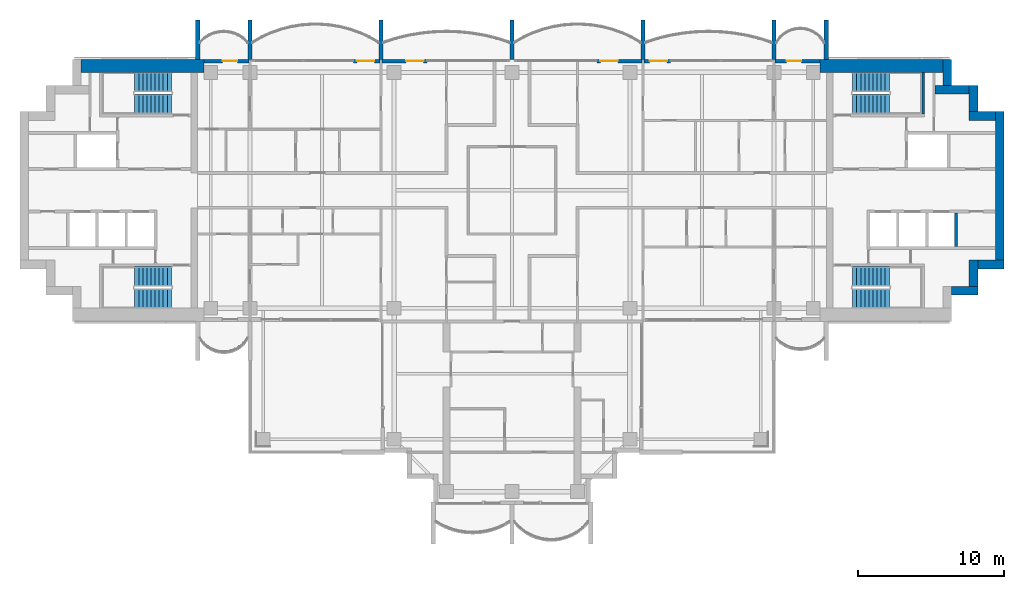
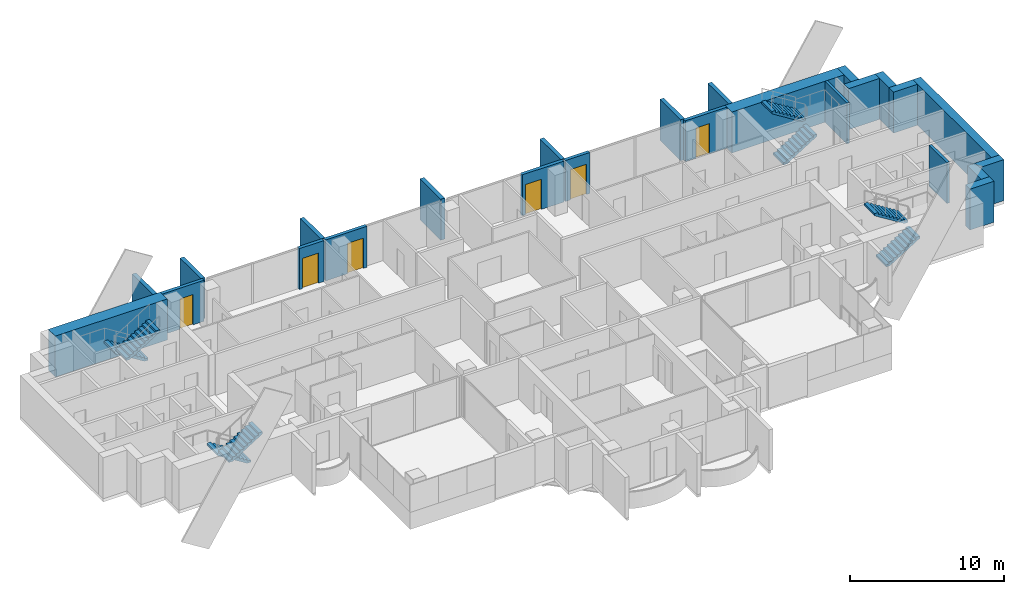
# One storey, part 13 of 17: 25 walls, 8 stair flights, 6 doors, 6 openings, 4 elements without a shape of their own.
"""IFC4 building model written with IfcOpenShell, lengths in metres."""

from ifc_helpers import new_model, si_unit, direction, frame, frame_2d, origin, place, context, subcontext, project, spatial, polyline, rectangle, outline, extrude, material, layer, layer_set, type_object, element, fill, aggregate, save


model = new_model("IFC4")

# Units and contexts
model_context = context("Model", 3, precision=1e-05, world=origin(), true_north=direction((0.0, 1.0)))
body_context = subcontext(model_context, "Body", "Model", "MODEL_VIEW")
ifc_project = project(units=[si_unit("LENGTHUNIT", "METRE"), si_unit("AREAUNIT", "SQUARE_METRE"), si_unit("VOLUMEUNIT", "CUBIC_METRE"), si_unit("PLANEANGLEUNIT", "RADIAN"), si_unit("MASSUNIT", "GRAM", prefix="KILO")], contexts=[model_context])

# Site, building, storey
site_placement = place(None, origin())
site = spatial("IfcSite", under=ifc_project, at=site_placement, CompositionType="ELEMENT")
building_placement = place(site_placement, origin())
building = spatial("IfcBuilding", under=site, at=building_placement, Name="Perihelion Cross Residences", CompositionType="ELEMENT")
storey_placement = place(building_placement, frame((0.0, 0.0, 198.10009765625)))
storey = spatial("IfcBuildingStorey", under=building, at=storey_placement, Name="L49", CompositionType="ELEMENT", Elevation=198.10009765625)

# Wall, opening, door
ifc_material_1 = material(Name="Concrete C30/37, bronze-clad", Category="concrete")
ifc_layer_1 = layer(ifc_material_1, 0.25)
ifc_layer_set_1 = layer_set([ifc_layer_1], Name="Bronze-clad pier wall 250")
wall_type_1 = type_object("IfcWallType", Name="Bronze-clad pier wall 250", PredefinedType="SOLIDWALL", material=ifc_layer_set_1)
wall_1_placement = place(storey_placement, frame((21.175048828125, 8.875, 0.0), z_axis=(0.0, 0.0, 1.0), x_axis=(-1.0, 0.0, 0.0)))
wall_1 = element("IfcWall", 1, at=wall_1_placement, inside=storey, type_object=wall_type_1, Name="Wall FW1 L49 east side north bay 1 pier", PredefinedType="SOLIDWALL", context=body_context, shape_type="SweptSolid", body=[
    extrude(rectangle(XDim=3.114990234375, YDim=0.25, at=frame_2d((1.5576171875, 0.0))), origin(), (0.0, 0.0, 1.0), 3.25),
])
opening_1_placement = place(wall_1_placement, frame((1.300048828125, 0.0, 0.0)))
opening_1 = element("IfcOpeningElement", 2, at=opening_1_placement, cuts=wall_1, Name="Opening L49.E01", PredefinedType="OPENING", context=body_context, shape_type="SweptSolid", body=[
    extrude(rectangle(XDim=1.0, YDim=2.39990234375, at=frame_2d((0.5, 1.199951171875))), frame((0.0, 0.135009765625, 0.0), z_axis=(0.0, -1.0, 0.0), x_axis=(1.0, 0.0, 0.0)), (0.0, 0.0, 1.0), 0.27001953125),
])
ifc_material_2 = material(Name="Bronze anodised aluminium, glazed", Category="aluminium")
door_type_1 = type_object("IfcDoorType", Name="Balcony door 1000 x 2400", OperationType="NOTDEFINED", PredefinedType="DOOR", material=ifc_material_2)
door_1_placement = place(opening_1_placement, origin())
door_1 = element("IfcDoor", 3, at=door_1_placement, inside=storey, type_object=door_type_1, Name="Door L49.E01 east side north bay 1", OperationType="SINGLE_SWING_LEFT", OverallHeight=2.39990234375, OverallWidth=1.0, PredefinedType="DOOR", context=body_context, shape_type="SweptSolid", body=[
    extrude(rectangle(XDim=1.0, YDim=2.39990234375, at=frame_2d((0.5, 1.199951171875))), frame((0.0, 0.02490234375, 0.0), z_axis=(0.0, -1.0, 0.0), x_axis=(1.0, 0.0, 0.0)), (0.0, 0.0, 1.0), 0.050048828125),
])
fill(opening_1, door_1)

wall_2_placement = place(storey_placement, frame((10.89990234375, 8.875, 0.0), z_axis=(0.0, 0.0, 1.0), x_axis=(-1.0, 0.0, 0.0)))
wall_2 = element("IfcWall", 4, at=wall_2_placement, inside=storey, type_object=wall_type_1, Name="Wall FW1 L49 east side north bay 2 pier", PredefinedType="SOLIDWALL", context=body_context, shape_type="SweptSolid", body=[
    extrude(rectangle(XDim=1.83984375, YDim=0.25, at=frame_2d((0.919921875, 0.0))), origin(), (0.0, 0.0, 1.0), 3.25),
])
opening_2_placement = place(wall_2_placement, frame((0.25, 0.0, 0.0)))
opening_2 = element("IfcOpeningElement", 5, at=opening_2_placement, cuts=wall_2, Name="Opening L49.E02", PredefinedType="OPENING", context=body_context, shape_type="SweptSolid", body=[
    extrude(rectangle(XDim=1.199951171875, YDim=2.39990234375, at=frame_2d((0.60009765625, 1.199951171875))), frame((0.0, 0.135009765625, 0.0), z_axis=(0.0, -1.0, 0.0), x_axis=(1.0, 0.0, 0.0)), (0.0, 0.0, 1.0), 0.27001953125),
])
ifc_material_3 = material(Name="Bronze anodised aluminium, glazed", Category="aluminium")
door_type_2 = type_object("IfcDoorType", Name="Balcony door 1200 x 2400", OperationType="NOTDEFINED", PredefinedType="DOOR", material=ifc_material_3)
door_2_placement = place(opening_2_placement, origin())
door_2 = element("IfcDoor", 6, at=door_2_placement, inside=storey, type_object=door_type_2, Name="Door L49.E02 east side north bay 2", OperationType="SINGLE_SWING_RIGHT", OverallHeight=2.39990234375, OverallWidth=1.199951171875, PredefinedType="DOOR", context=body_context, shape_type="SweptSolid", body=[
    extrude(rectangle(XDim=1.199951171875, YDim=2.39990234375, at=frame_2d((0.60009765625, 1.199951171875))), frame((0.0, 0.02490234375, 0.0), z_axis=(0.0, -1.0, 0.0), x_axis=(1.0, 0.0, 0.0)), (0.0, 0.0, 1.0), 0.050048828125),
])
fill(opening_2, door_2)

wall_3_placement = place(storey_placement, frame((8.93994140625, 8.875, 0.0), z_axis=(0.0, 0.0, 1.0), x_axis=(-1.0, 0.0, 0.0)))
wall_3 = element("IfcWall", 7, at=wall_3_placement, inside=storey, type_object=wall_type_1, Name="Wall FW1 L49 north side east bay 1 pier", PredefinedType="SOLIDWALL", context=body_context, shape_type="SweptSolid", body=[
    extrude(rectangle(XDim=3.114990234375, YDim=0.25, at=frame_2d((1.5576171875, 0.0))), origin(), (0.0, 0.0, 1.0), 3.25),
])
opening_3_placement = place(wall_3_placement, frame((1.6650390625, 0.0, 0.0)))
opening_3 = element("IfcOpeningElement", 8, at=opening_3_placement, cuts=wall_3, Name="Opening L49.E03", PredefinedType="OPENING", context=body_context, shape_type="SweptSolid", body=[
    extrude(rectangle(XDim=1.199951171875, YDim=2.39990234375, at=frame_2d((0.60009765625, 1.199951171875))), frame((0.0, 0.135009765625, 0.0), z_axis=(0.0, -1.0, 0.0), x_axis=(1.0, 0.0, 0.0)), (0.0, 0.0, 1.0), 0.27001953125),
])
door_3_placement = place(opening_3_placement, origin())
door_3 = element("IfcDoor", 9, at=door_3_placement, inside=storey, type_object=door_type_2, Name="Door L49.E03 north side east bay 1", OperationType="SINGLE_SWING_LEFT", OverallHeight=2.39990234375, OverallWidth=1.199951171875, PredefinedType="DOOR", context=body_context, shape_type="SweptSolid", body=[
    extrude(rectangle(XDim=1.199951171875, YDim=2.39990234375, at=frame_2d((0.60009765625, 1.199951171875))), frame((0.0, 0.02490234375, 0.0), z_axis=(0.0, -1.0, 0.0), x_axis=(1.0, 0.0, 0.0)), (0.0, 0.0, 1.0), 0.050048828125),
])
fill(opening_3, door_3)

wall_4_placement = place(storey_placement, frame((-5.824951171875, 8.875, 0.0), z_axis=(0.0, 0.0, 1.0), x_axis=(-1.0, 0.0, 0.0)))
wall_4 = element("IfcWall", 10, at=wall_4_placement, inside=storey, type_object=wall_type_1, Name="Wall FW1 L49 north side east bay 2 pier", PredefinedType="SOLIDWALL", context=body_context, shape_type="SweptSolid", body=[
    extrude(rectangle(XDim=3.114990234375, YDim=0.25, at=frame_2d((1.5576171875, 0.0))), origin(), (0.0, 0.0, 1.0), 3.25),
])
opening_4_placement = place(wall_4_placement, frame((0.25, 0.0, 0.0)))
opening_4 = element("IfcOpeningElement", 11, at=opening_4_placement, cuts=wall_4, Name="Opening L49.E04", PredefinedType="OPENING", context=body_context, shape_type="SweptSolid", body=[
    extrude(rectangle(XDim=1.199951171875, YDim=2.39990234375, at=frame_2d((0.60009765625, 1.199951171875))), frame((0.0, 0.135009765625, 0.0), z_axis=(0.0, -1.0, 0.0), x_axis=(1.0, 0.0, 0.0)), (0.0, 0.0, 1.0), 0.27001953125),
])
door_4_placement = place(opening_4_placement, origin())
door_4 = element("IfcDoor", 12, at=door_4_placement, inside=storey, type_object=door_type_2, Name="Door L49.E04 north side east bay 2", OperationType="SINGLE_SWING_RIGHT", OverallHeight=2.39990234375, OverallWidth=1.199951171875, PredefinedType="DOOR", context=body_context, shape_type="SweptSolid", body=[
    extrude(rectangle(XDim=1.199951171875, YDim=2.39990234375, at=frame_2d((0.60009765625, 1.199951171875))), frame((0.0, 0.02490234375, 0.0), z_axis=(0.0, -1.0, 0.0), x_axis=(1.0, 0.0, 0.0)), (0.0, 0.0, 1.0), 0.050048828125),
])
fill(opening_4, door_4)

wall_5_placement = place(storey_placement, frame((-9.06005859375, 8.875, 0.0), z_axis=(0.0, 0.0, 1.0), x_axis=(-1.0, 0.0, 0.0)))
wall_5 = element("IfcWall", 13, at=wall_5_placement, inside=storey, type_object=wall_type_1, Name="Wall FW1 L49 west side north bay 1 pier", PredefinedType="SOLIDWALL", context=body_context, shape_type="SweptSolid", body=[
    extrude(rectangle(XDim=1.83984375, YDim=0.25, at=frame_2d((0.919921875, 0.0))), origin(), (0.0, 0.0, 1.0), 3.25),
])
opening_5_placement = place(wall_5_placement, frame((0.389892578125, 0.0, 0.0)))
opening_5 = element("IfcOpeningElement", 14, at=opening_5_placement, cuts=wall_5, Name="Opening L49.E05", PredefinedType="OPENING", context=body_context, shape_type="SweptSolid", body=[
    extrude(rectangle(XDim=1.199951171875, YDim=2.39990234375, at=frame_2d((0.60009765625, 1.199951171875))), frame((0.0, 0.135009765625, 0.0), z_axis=(0.0, -1.0, 0.0), x_axis=(1.0, 0.0, 0.0)), (0.0, 0.0, 1.0), 0.27001953125),
])
door_5_placement = place(opening_5_placement, origin())
door_5 = element("IfcDoor", 15, at=door_5_placement, inside=storey, type_object=door_type_2, Name="Door L49.E05 west side north bay 1", OperationType="SINGLE_SWING_LEFT", OverallHeight=2.39990234375, OverallWidth=1.199951171875, PredefinedType="DOOR", context=body_context, shape_type="SweptSolid", body=[
    extrude(rectangle(XDim=1.199951171875, YDim=2.39990234375, at=frame_2d((0.60009765625, 1.199951171875))), frame((0.0, 0.02490234375, 0.0), z_axis=(0.0, -1.0, 0.0), x_axis=(1.0, 0.0, 0.0)), (0.0, 0.0, 1.0), 0.050048828125),
])
fill(opening_5, door_5)

wall_6_placement = place(storey_placement, frame((-18.06005859375, 8.875, 0.0), z_axis=(0.0, 0.0, 1.0), x_axis=(-1.0, 0.0, 0.0)))
wall_6 = element("IfcWall", 16, at=wall_6_placement, inside=storey, type_object=wall_type_1, Name="Wall FW1 L49 west side north bay 2 pier", PredefinedType="SOLIDWALL", context=body_context, shape_type="SweptSolid", body=[
    extrude(rectangle(XDim=3.114990234375, YDim=0.25, at=frame_2d((1.5576171875, 0.0))), origin(), (0.0, 0.0, 1.0), 3.25),
])
opening_6_placement = place(wall_6_placement, frame((0.81494140625, 0.0, 0.0)))
opening_6 = element("IfcOpeningElement", 17, at=opening_6_placement, cuts=wall_6, Name="Opening L49.E06", PredefinedType="OPENING", context=body_context, shape_type="SweptSolid", body=[
    extrude(rectangle(XDim=1.0, YDim=2.39990234375, at=frame_2d((0.5, 1.199951171875))), frame((0.0, 0.135009765625, 0.0), z_axis=(0.0, -1.0, 0.0), x_axis=(1.0, 0.0, 0.0)), (0.0, 0.0, 1.0), 0.27001953125),
])
door_6_placement = place(opening_6_placement, origin())
door_6 = element("IfcDoor", 18, at=door_6_placement, inside=storey, type_object=door_type_1, Name="Door L49.E06 west side north bay 2", OperationType="SINGLE_SWING_RIGHT", OverallHeight=2.39990234375, OverallWidth=1.0, PredefinedType="DOOR", context=body_context, shape_type="SweptSolid", body=[
    extrude(rectangle(XDim=1.0, YDim=2.39990234375, at=frame_2d((0.5, 1.199951171875))), frame((0.0, 0.02490234375, 0.0), z_axis=(0.0, -1.0, 0.0), x_axis=(1.0, 0.0, 0.0)), (0.0, 0.0, 1.0), 0.050048828125),
])
fill(opening_6, door_6)

# Walls
ifc_material_4 = material(Name="Concrete C60/75", Category="concrete")
ifc_layer_2 = layer(ifc_material_4, 0.60009765625)
ifc_layer_set_2 = layer_set([ifc_layer_2], Name="Core wall, outer 600")
wall_type_2 = type_object("IfcWallType", Name="Core wall, outer 600", PredefinedType="SHEAR", material=ifc_layer_set_2)
for number, where, z_axis, x_axis, name in (
    (19, (30.199951171875, -6.89990234375, 0.0), (0.0, 0.0, 1.0), (1.0, 0.0, 0.0), "East core core wall, outer"),
    (20, (31.699951171875, -6.60009765625, 0.0), (0.0, 0.0, 1.0), (0.0, 1.0, 0.0), "East core core wall, outer"),
    (21, (32.0, -5.10009765625, 0.0), (0.0, 0.0, 1.0), (1.0, 0.0, 0.0), "East core core wall, outer"),
):
    element("IfcWall", number, at=place(storey_placement, frame(where, z_axis=z_axis, x_axis=x_axis)), inside=storey, type_object=wall_type_2, Name=name, PredefinedType="SHEAR", context=body_context, shape_type="SweptSolid", body=[
        extrude(rectangle(XDim=1.800048828125, YDim=0.60009765625, at=frame_2d((0.89990234375, 0.0))), origin(), (0.0, 0.0, 1.0), 3.25),
    ])
wall_7_placement = place(storey_placement, frame((33.5, -4.800048828125, 0.0), z_axis=(0.0, 0.0, 1.0), x_axis=(0.0, 1.0, 0.0)))
element("IfcWall", 22, at=wall_7_placement, inside=storey, type_object=wall_type_2, Name="East core core wall, outer", PredefinedType="SHEAR", context=body_context, shape_type="SweptSolid", body=[
    extrude(rectangle(XDim=10.199951171875, YDim=0.60009765625, at=frame_2d((5.10009765625, 0.0))), origin(), (0.0, 0.0, 1.0), 3.25),
])
for number, where, z_axis, x_axis, name in (
    (23, (31.39990234375, 5.10009765625, 0.0), (0.0, 0.0, 1.0), (1.0, 0.0, 0.0), "East core core wall, outer"),
    (24, (31.699951171875, 5.39990234375, 0.0), (0.0, 0.0, 1.0), (0.0, 1.0, 0.0), "East core core wall, outer"),
):
    element("IfcWall", number, at=place(storey_placement, frame(where, z_axis=z_axis, x_axis=x_axis)), inside=storey, type_object=wall_type_2, Name=name, PredefinedType="SHEAR", context=body_context, shape_type="SweptSolid", body=[
        extrude(rectangle(XDim=1.800048828125, YDim=0.60009765625, at=frame_2d((0.89990234375, 0.0))), origin(), (0.0, 0.0, 1.0), 3.25),
    ])
wall_8_placement = place(storey_placement, frame((29.074951171875, 6.89990234375, 0.0), z_axis=(0.0, 0.0, 1.0), x_axis=(1.0, 0.0, 0.0)))
element("IfcWall", 25, at=wall_8_placement, inside=storey, type_object=wall_type_2, Name="East core core wall, outer", PredefinedType="SHEAR", context=body_context, shape_type="SweptSolid", body=[
    extrude(rectangle(XDim=2.324951171875, YDim=0.60009765625, at=frame_2d((1.16259765625, 0.0))), origin(), (0.0, 0.0, 1.0), 3.25),
])
wall_9_placement = place(storey_placement, frame((29.89990234375, 7.199951171875, 0.0), z_axis=(0.0, 0.0, 1.0), x_axis=(0.0, 1.0, 0.0)))
element("IfcWall", 26, at=wall_9_placement, inside=storey, type_object=wall_type_2, Name="East core core wall, outer", PredefinedType="SHEAR", context=body_context, shape_type="SweptSolid", body=[
    extrude(rectangle(XDim=1.800048828125, YDim=0.60009765625, at=frame_2d((0.89990234375, 0.0))), origin(), (0.0, 0.0, 1.0), 3.25),
])
ifc_material_5 = material(Name="Concrete C60/75", Category="concrete")
ifc_layer_3 = layer(ifc_material_5, 0.89990234375)
ifc_layer_set_3 = layer_set([ifc_layer_3], Name="Core wall, outer 900")
wall_type_3 = type_object("IfcWallType", Name="Core wall, outer 900", PredefinedType="SHEAR", material=ifc_layer_set_3)
for number, where, z_axis, x_axis, name in (
    (27, (21.175048828125, 8.550048828125, 0.0), (0.0, 0.0, 1.0), (1.0, 0.0, 0.0), "East core core wall, outer"),
    (28, (-29.60009765625, 8.550048828125, 0.0), (0.0, 0.0, 1.0), (1.0, 0.0, 0.0), "West core core wall, outer"),
):
    element("IfcWall", number, at=place(storey_placement, frame(where, z_axis=z_axis, x_axis=x_axis)), inside=storey, type_object=wall_type_3, Name=name, PredefinedType="SHEAR", context=body_context, shape_type="SweptSolid", body=[
        extrude(rectangle(XDim=8.425048828125, YDim=0.89990234375, at=frame_2d((4.21240234375, 0.0))), origin(), (0.0, 0.0, 1.0), 3.25),
    ])
ifc_material_6 = material(Name="Precast concrete C50/60", Category="concrete")
ifc_layer_4 = layer(ifc_material_6, 0.300048828125)
ifc_layer_set_4 = layer_set([ifc_layer_4], Name="Precast concrete C50/60 blade wall 300")
wall_type_4 = type_object("IfcWallType", Name="Precast concrete C50/60 blade wall 300", PredefinedType="SOLIDWALL", material=ifc_layer_set_4)
for number, where, z_axis, x_axis, name in (
    (29, (-21.60009765625, 9.0, 0.0), (0.0, 0.0, 1.0), (0.0, 1.0, 0.0), "Wall BL1 L49 no. 4"),
    (30, (-18.0, 9.0, 0.0), (0.0, 0.0, 1.0), (0.0, 1.0, 0.0), "Wall BL1 L49 no. 2"),
    (31, (-9.0, 9.0, 0.0), (0.0, 0.0, 1.0), (0.0, 1.0, 0.0), "Wall BL1 L49 no. 7"),
    (32, (0.0, 9.0, 0.0), (0.0, 0.0, 1.0), (0.0, 1.0, 0.0), "Wall BL1 L49 no. 9"),
    (33, (9.0, 9.0, 0.0), (0.0, 0.0, 1.0), (0.0, 1.0, 0.0), "Wall BL1 L49 no. 16"),
    (34, (18.0, 9.0, 0.0), (0.0, 0.0, 1.0), (0.0, 1.0, 0.0), "Wall BL1 L49 no. 11"),
    (35, (21.60009765625, 9.0, 0.0), (0.0, 0.0, 1.0), (0.0, 1.0, 0.0), "Wall BL1 L49 no. 13"),
):
    element("IfcWall", number, at=place(storey_placement, frame(where, z_axis=z_axis, x_axis=x_axis)), inside=storey, type_object=wall_type_4, Name=name, PredefinedType="SOLIDWALL", context=body_context, shape_type="SweptSolid", body=[
        extrude(rectangle(XDim=2.699951171875, YDim=0.300048828125, at=frame_2d((1.35009765625, 0.0))), origin(), (0.0, 0.0, 1.0), 3.25),
    ])
ifc_material_7 = material(Name="Concrete C50/60", Category="concrete")
ifc_layer_5 = layer(ifc_material_7, 0.199951171875)
ifc_layer_set_5 = layer_set([ifc_layer_5], Name="Shaft wall 200")
wall_type_5 = type_object("IfcWallType", Name="Shaft wall 200", PredefinedType="SOLIDWALL", material=ifc_layer_set_5)
wall_10_placement = place(storey_placement, frame((30.5, -3.85009765625, 0.0), z_axis=(0.0, 0.0, 1.0), x_axis=(0.0, 1.0, 0.0)))
element("IfcWall", 36, at=wall_10_placement, inside=storey, type_object=wall_type_5, Name="East core shaft wall", PredefinedType="SOLIDWALL", context=body_context, shape_type="SweptSolid", body=[
    extrude(rectangle(XDim=2.300048828125, YDim=0.199951171875, at=frame_2d((1.14990234375, 0.0))), origin(), (0.0, 0.0, 1.0), 3.25),
])
ifc_material_8 = material(Name="Concrete C50/60", Category="concrete")
ifc_layer_6 = layer(ifc_material_8, 0.199951171875)
ifc_layer_set_6 = layer_set([ifc_layer_6], Name="Stair wall 200")
wall_type_6 = type_object("IfcWallType", Name="Stair wall 200", PredefinedType="SOLIDWALL", material=ifc_layer_set_6)
wall_11_placement = place(storey_placement, frame((28.25, 5.25, 0.0), z_axis=(0.0, 0.0, 1.0), x_axis=(0.0, 1.0, 0.0)))
element("IfcWall", 37, at=wall_11_placement, inside=storey, type_object=wall_type_6, Name="East core stair wall", PredefinedType="SOLIDWALL", context=body_context, shape_type="SweptSolid", body=[
    extrude(rectangle(XDim=2.85009765625, YDim=0.199951171875, at=frame_2d((1.425048828125, 0.0))), origin(), (0.0, 0.0, 1.0), 3.25),
])

# Stair, stair flights
ifc_material_9 = material(Name="Concrete C40/50", Category="concrete")
stair_type = type_object("IfcStairType", Name="Exit stair, half-turn", PredefinedType="HALF_TURN_STAIR", material=ifc_material_9)
stair_1_placement = place(storey_placement, origin())
stair_1 = element("IfcStair", 38, at=stair_1_placement, inside=storey, type_object=stair_type, Name="L49 East core exit stair 1", PredefinedType="HALF_TURN_STAIR")
ifc_material_10 = material(Name="Concrete C40/50", Category="concrete")
stair_flight_type = type_object("IfcStairFlightType", Name="Exit stair flight", PredefinedType="STRAIGHT", material=ifc_material_10)
stair_flight_1_placement = place(storey_placement, frame((23.39990234375, 5.925048828125, 0.0), z_axis=(0.0, 0.0, 1.0), x_axis=(1.0, 0.0, 0.0)))
stair_flight_1 = element("IfcStairFlight", 39, at=stair_flight_1_placement, type_object=stair_flight_type, Name="ST-E1 flight 1", NumberOfRisers=10, NumberOfTreads=9, PredefinedType="STRAIGHT", RiserHeight=0.175, TreadLength=0.28, context=body_context, shape_type="SweptSolid", body=[
    extrude(outline(polyline([(0.0, 0.0), (0.0, 0.175048828125), (0.280029296875, 0.175048828125), (0.280029296875, 0.35009765625), (0.56005859375, 0.35009765625), (0.56005859375, 0.52490234375), (0.840087890625, 0.52490234375), (0.840087890625, 0.699951171875), (1.1201171875, 0.699951171875), (1.1201171875, 0.875), (1.39990234375, 0.875), (1.39990234375, 1.050048828125), (1.679931640625, 1.050048828125), (1.679931640625, 1.22509765625), (1.9599609375, 1.22509765625), (1.9599609375, 1.39990234375), (2.239990234375, 1.39990234375), (2.239990234375, 1.574951171875), (2.52001953125, 1.574951171875), (2.52001953125, 1.75), (2.52001953125, 1.398193359375), (0.28271484375, 0.0), (0.0, 0.0)])), frame((0.0, 0.675048828125, 0.0), z_axis=(0.0, -1.0, 0.0), x_axis=(1.0, 0.0, 0.0)), (0.0, 0.0, 1.0), 1.35009765625),
])
stair_flight_2_placement = place(storey_placement, frame((25.919921875, 7.425048828125, 1.75), z_axis=(0.0, 0.0, 1.0), x_axis=(-1.0, 0.0, 0.0)))
stair_flight_2 = element("IfcStairFlight", 40, at=stair_flight_2_placement, type_object=stair_flight_type, Name="ST-E1 flight 2", NumberOfRisers=10, NumberOfTreads=9, PredefinedType="STRAIGHT", RiserHeight=0.175, TreadLength=0.28, context=body_context, shape_type="SweptSolid", body=[
    extrude(outline(polyline([(0.0, 0.0), (0.0, 0.175048828125), (0.280029296875, 0.175048828125), (0.280029296875, 0.35009765625), (0.56005859375, 0.35009765625), (0.56005859375, 0.52490234375), (0.840087890625, 0.52490234375), (0.840087890625, 0.699951171875), (1.1201171875, 0.699951171875), (1.1201171875, 0.875), (1.39990234375, 0.875), (1.39990234375, 1.050048828125), (1.679931640625, 1.050048828125), (1.679931640625, 1.22509765625), (1.9599609375, 1.22509765625), (1.9599609375, 1.39990234375), (2.239990234375, 1.39990234375), (2.239990234375, 1.574951171875), (2.52001953125, 1.574951171875), (2.52001953125, 1.75), (2.52001953125, 1.398193359375), (0.28271484375, 0.0), (0.0, 0.0)])), frame((0.0, 0.675048828125, 0.0), z_axis=(0.0, -1.0, 0.0), x_axis=(1.0, 0.0, 0.0)), (0.0, 0.0, 1.0), 1.35009765625),
])
aggregate(stair_1, [stair_flight_1, stair_flight_2])

stair_2_placement = place(storey_placement, origin())
stair_2 = element("IfcStair", 41, at=stair_2_placement, inside=storey, type_object=stair_type, Name="L49 East core exit stair 2", PredefinedType="HALF_TURN_STAIR")
stair_flight_3_placement = place(storey_placement, frame((23.39990234375, -7.425048828125, 0.0), z_axis=(0.0, 0.0, 1.0), x_axis=(1.0, 0.0, 0.0)))
stair_flight_3 = element("IfcStairFlight", 42, at=stair_flight_3_placement, type_object=stair_flight_type, Name="ST-E2 flight 1", NumberOfRisers=10, NumberOfTreads=9, PredefinedType="STRAIGHT", RiserHeight=0.175, TreadLength=0.28, context=body_context, shape_type="SweptSolid", body=[
    extrude(outline(polyline([(0.0, 0.0), (0.0, 0.175048828125), (0.280029296875, 0.175048828125), (0.280029296875, 0.35009765625), (0.56005859375, 0.35009765625), (0.56005859375, 0.52490234375), (0.840087890625, 0.52490234375), (0.840087890625, 0.699951171875), (1.1201171875, 0.699951171875), (1.1201171875, 0.875), (1.39990234375, 0.875), (1.39990234375, 1.050048828125), (1.679931640625, 1.050048828125), (1.679931640625, 1.22509765625), (1.9599609375, 1.22509765625), (1.9599609375, 1.39990234375), (2.239990234375, 1.39990234375), (2.239990234375, 1.574951171875), (2.52001953125, 1.574951171875), (2.52001953125, 1.75), (2.52001953125, 1.398193359375), (0.28271484375, 0.0), (0.0, 0.0)])), frame((0.0, 0.675048828125, 0.0), z_axis=(0.0, -1.0, 0.0), x_axis=(1.0, 0.0, 0.0)), (0.0, 0.0, 1.0), 1.35009765625),
])
stair_flight_4_placement = place(storey_placement, frame((25.919921875, -5.925048828125, 1.75), z_axis=(0.0, 0.0, 1.0), x_axis=(-1.0, 0.0, 0.0)))
stair_flight_4 = element("IfcStairFlight", 43, at=stair_flight_4_placement, type_object=stair_flight_type, Name="ST-E2 flight 2", NumberOfRisers=10, NumberOfTreads=9, PredefinedType="STRAIGHT", RiserHeight=0.175, TreadLength=0.28, context=body_context, shape_type="SweptSolid", body=[
    extrude(outline(polyline([(0.0, 0.0), (0.0, 0.175048828125), (0.280029296875, 0.175048828125), (0.280029296875, 0.35009765625), (0.56005859375, 0.35009765625), (0.56005859375, 0.52490234375), (0.840087890625, 0.52490234375), (0.840087890625, 0.699951171875), (1.1201171875, 0.699951171875), (1.1201171875, 0.875), (1.39990234375, 0.875), (1.39990234375, 1.050048828125), (1.679931640625, 1.050048828125), (1.679931640625, 1.22509765625), (1.9599609375, 1.22509765625), (1.9599609375, 1.39990234375), (2.239990234375, 1.39990234375), (2.239990234375, 1.574951171875), (2.52001953125, 1.574951171875), (2.52001953125, 1.75), (2.52001953125, 1.398193359375), (0.28271484375, 0.0), (0.0, 0.0)])), frame((0.0, 0.675048828125, 0.0), z_axis=(0.0, -1.0, 0.0), x_axis=(1.0, 0.0, 0.0)), (0.0, 0.0, 1.0), 1.35009765625),
])
aggregate(stair_2, [stair_flight_3, stair_flight_4])

stair_3_placement = place(storey_placement, origin())
stair_3 = element("IfcStair", 44, at=stair_3_placement, inside=storey, type_object=stair_type, Name="L49 West core exit stair 1", PredefinedType="HALF_TURN_STAIR")
stair_flight_5_placement = place(storey_placement, frame((-23.39990234375, 7.425048828125, 0.0), z_axis=(0.0, 0.0, 1.0), x_axis=(-1.0, 0.0, 0.0)))
stair_flight_5 = element("IfcStairFlight", 45, at=stair_flight_5_placement, type_object=stair_flight_type, Name="ST-W1 flight 1", NumberOfRisers=10, NumberOfTreads=9, PredefinedType="STRAIGHT", RiserHeight=0.175, TreadLength=0.28, context=body_context, shape_type="SweptSolid", body=[
    extrude(outline(polyline([(0.0, 0.0), (0.0, 0.175048828125), (0.280029296875, 0.175048828125), (0.280029296875, 0.35009765625), (0.56005859375, 0.35009765625), (0.56005859375, 0.52490234375), (0.840087890625, 0.52490234375), (0.840087890625, 0.699951171875), (1.1201171875, 0.699951171875), (1.1201171875, 0.875), (1.39990234375, 0.875), (1.39990234375, 1.050048828125), (1.679931640625, 1.050048828125), (1.679931640625, 1.22509765625), (1.9599609375, 1.22509765625), (1.9599609375, 1.39990234375), (2.239990234375, 1.39990234375), (2.239990234375, 1.574951171875), (2.52001953125, 1.574951171875), (2.52001953125, 1.75), (2.52001953125, 1.398193359375), (0.28271484375, 0.0), (0.0, 0.0)])), frame((0.0, 0.675048828125, 0.0), z_axis=(0.0, -1.0, 0.0), x_axis=(1.0, 0.0, 0.0)), (0.0, 0.0, 1.0), 1.35009765625),
])
stair_flight_6_placement = place(storey_placement, frame((-25.919921875, 5.925048828125, 1.75), z_axis=(0.0, 0.0, 1.0), x_axis=(1.0, 0.0, 0.0)))
stair_flight_6 = element("IfcStairFlight", 46, at=stair_flight_6_placement, type_object=stair_flight_type, Name="ST-W1 flight 2", NumberOfRisers=10, NumberOfTreads=9, PredefinedType="STRAIGHT", RiserHeight=0.175, TreadLength=0.28, context=body_context, shape_type="SweptSolid", body=[
    extrude(outline(polyline([(0.0, 0.0), (0.0, 0.175048828125), (0.280029296875, 0.175048828125), (0.280029296875, 0.35009765625), (0.56005859375, 0.35009765625), (0.56005859375, 0.52490234375), (0.840087890625, 0.52490234375), (0.840087890625, 0.699951171875), (1.1201171875, 0.699951171875), (1.1201171875, 0.875), (1.39990234375, 0.875), (1.39990234375, 1.050048828125), (1.679931640625, 1.050048828125), (1.679931640625, 1.22509765625), (1.9599609375, 1.22509765625), (1.9599609375, 1.39990234375), (2.239990234375, 1.39990234375), (2.239990234375, 1.574951171875), (2.52001953125, 1.574951171875), (2.52001953125, 1.75), (2.52001953125, 1.398193359375), (0.28271484375, 0.0), (0.0, 0.0)])), frame((0.0, 0.675048828125, 0.0), z_axis=(0.0, -1.0, 0.0), x_axis=(1.0, 0.0, 0.0)), (0.0, 0.0, 1.0), 1.35009765625),
])
aggregate(stair_3, [stair_flight_5, stair_flight_6])

stair_4_placement = place(storey_placement, origin())
stair_4 = element("IfcStair", 47, at=stair_4_placement, inside=storey, type_object=stair_type, Name="L49 West core exit stair 2", PredefinedType="HALF_TURN_STAIR")
stair_flight_7_placement = place(storey_placement, frame((-23.39990234375, -5.925048828125, 0.0), z_axis=(0.0, 0.0, 1.0), x_axis=(-1.0, 0.0, 0.0)))
stair_flight_7 = element("IfcStairFlight", 48, at=stair_flight_7_placement, type_object=stair_flight_type, Name="ST-W2 flight 1", NumberOfRisers=10, NumberOfTreads=9, PredefinedType="STRAIGHT", RiserHeight=0.175, TreadLength=0.28, context=body_context, shape_type="SweptSolid", body=[
    extrude(outline(polyline([(0.0, 0.0), (0.0, 0.175048828125), (0.280029296875, 0.175048828125), (0.280029296875, 0.35009765625), (0.56005859375, 0.35009765625), (0.56005859375, 0.52490234375), (0.840087890625, 0.52490234375), (0.840087890625, 0.699951171875), (1.1201171875, 0.699951171875), (1.1201171875, 0.875), (1.39990234375, 0.875), (1.39990234375, 1.050048828125), (1.679931640625, 1.050048828125), (1.679931640625, 1.22509765625), (1.9599609375, 1.22509765625), (1.9599609375, 1.39990234375), (2.239990234375, 1.39990234375), (2.239990234375, 1.574951171875), (2.52001953125, 1.574951171875), (2.52001953125, 1.75), (2.52001953125, 1.398193359375), (0.28271484375, 0.0), (0.0, 0.0)])), frame((0.0, 0.675048828125, 0.0), z_axis=(0.0, -1.0, 0.0), x_axis=(1.0, 0.0, 0.0)), (0.0, 0.0, 1.0), 1.35009765625),
])
stair_flight_8_placement = place(storey_placement, frame((-25.919921875, -7.425048828125, 1.75), z_axis=(0.0, 0.0, 1.0), x_axis=(1.0, 0.0, 0.0)))
stair_flight_8 = element("IfcStairFlight", 49, at=stair_flight_8_placement, type_object=stair_flight_type, Name="ST-W2 flight 2", NumberOfRisers=10, NumberOfTreads=9, PredefinedType="STRAIGHT", RiserHeight=0.175, TreadLength=0.28, context=body_context, shape_type="SweptSolid", body=[
    extrude(outline(polyline([(0.0, 0.0), (0.0, 0.175048828125), (0.280029296875, 0.175048828125), (0.280029296875, 0.35009765625), (0.56005859375, 0.35009765625), (0.56005859375, 0.52490234375), (0.840087890625, 0.52490234375), (0.840087890625, 0.699951171875), (1.1201171875, 0.699951171875), (1.1201171875, 0.875), (1.39990234375, 0.875), (1.39990234375, 1.050048828125), (1.679931640625, 1.050048828125), (1.679931640625, 1.22509765625), (1.9599609375, 1.22509765625), (1.9599609375, 1.39990234375), (2.239990234375, 1.39990234375), (2.239990234375, 1.574951171875), (2.52001953125, 1.574951171875), (2.52001953125, 1.75), (2.52001953125, 1.398193359375), (0.28271484375, 0.0), (0.0, 0.0)])), frame((0.0, 0.675048828125, 0.0), z_axis=(0.0, -1.0, 0.0), x_axis=(1.0, 0.0, 0.0)), (0.0, 0.0, 1.0), 1.35009765625),
])
aggregate(stair_4, [stair_flight_7, stair_flight_8])

save(model, "model.ifc")
